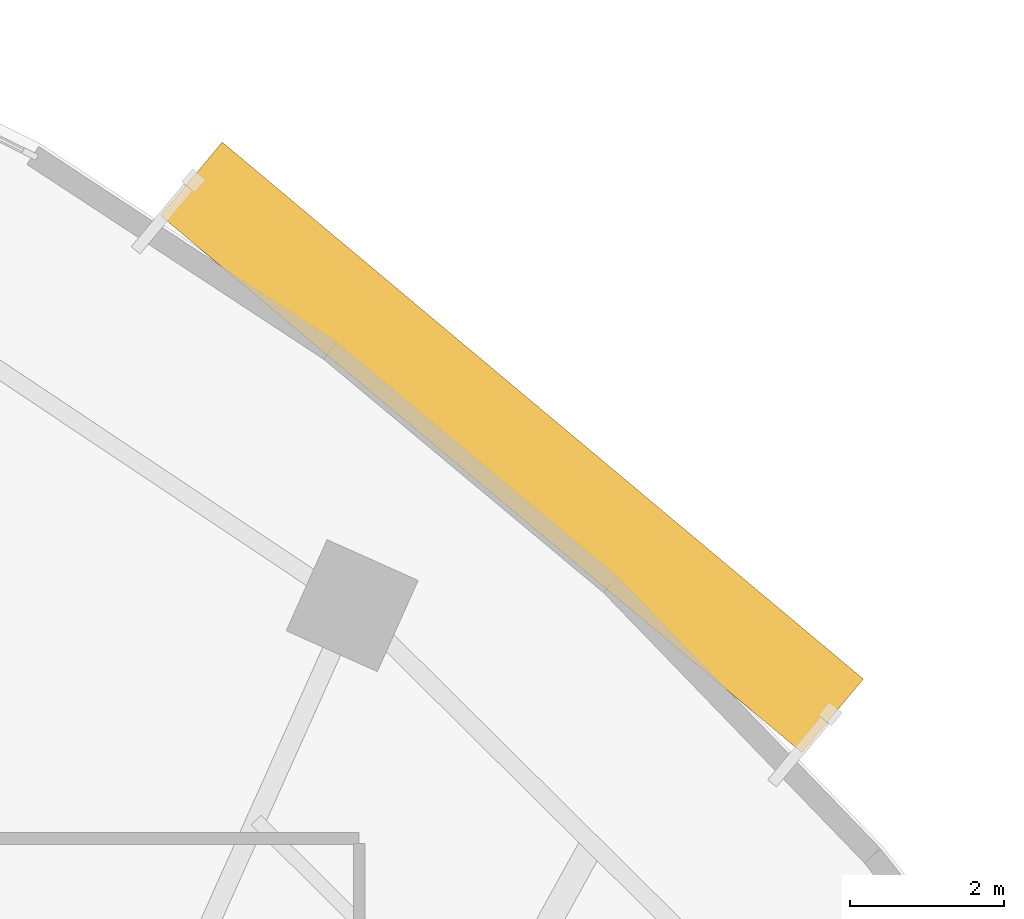
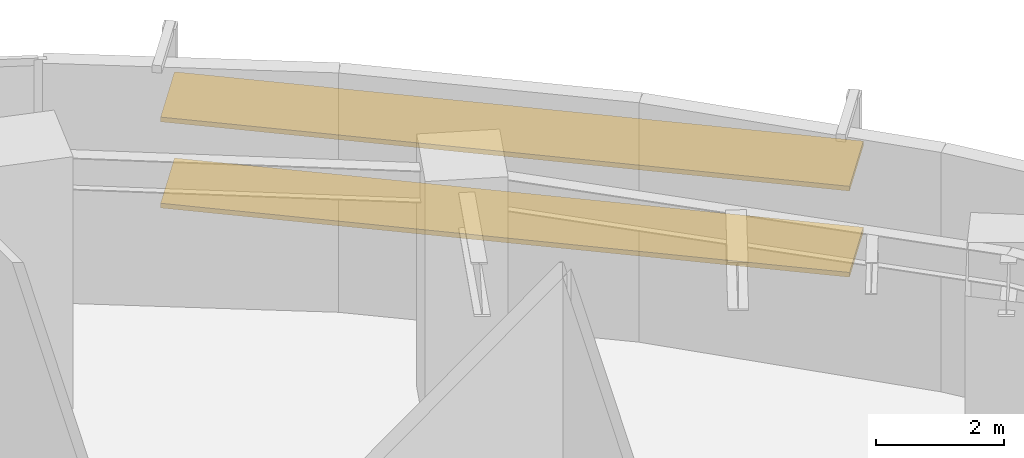
# One storey, part 14 of 15: 2 shading devices.
"""IFC4 building model written with IfcOpenShell, lengths in metres."""

from ifc_helpers import new_model, si_unit, direction, frame, origin, origin_2d, place, context, subcontext, project, spatial, rectangle, extrude, source, transform, mapped, material, material_profile, profile_set, type_object, element, save


model = new_model("IFC4")

# Units and contexts
model_context = context("Model", 3, precision=1e-05, world=origin(), true_north=direction((0.0, 1.0)))
body_context = subcontext(model_context, "Body", "Model", "MODEL_VIEW")
ifc_project = project(units=[si_unit("LENGTHUNIT", "METRE"), si_unit("AREAUNIT", "SQUARE_METRE"), si_unit("VOLUMEUNIT", "CUBIC_METRE"), si_unit("PLANEANGLEUNIT", "RADIAN"), si_unit("MASSUNIT", "GRAM", prefix="KILO")], contexts=[model_context])

# Site, building, storey
site_placement = place(None, origin())
site = spatial("IfcSite", under=ifc_project, at=site_placement, CompositionType="ELEMENT")
building_placement = place(site_placement, origin())
building = spatial("IfcBuilding", under=site, at=building_placement, Name="Breltana Convention Tower", CompositionType="ELEMENT")
storey_placement = place(building_placement, frame((0.0, 0.0, 91.199951171875)))
storey = spatial("IfcBuildingStorey", under=building, at=storey_placement, Name="L21", CompositionType="ELEMENT", Elevation=91.199951171875)

# Shading devices
ifc_material = material(Name="Limestone Warm Buff Honed", Category="masonry")
ifc_material_profile = material_profile(ifc_material, rectangle(XDim=1.25, YDim=0.090087890625, at=origin_2d()), Name="STN-LVR-1250X90")
ifc_profile_set = profile_set([ifc_material_profile], Name="Limestone Warm Buff Honed")
shading_device_type = type_object("IfcShadingDeviceType", Name="SHD-OUTER-SKIN-LIMESTONE-1250", PredefinedType="JALOUSIE", material=ifc_profile_set)
shared_shape = source(origin(), body_context, "Body", "SweptSolid", [
    extrude(rectangle(XDim=1.25, YDim=0.090087890625, at=origin_2d()), origin(), (0.0, 0.0, 1.0), 10.892333984375),
])
for number, where, z_axis, x_axis, name in (
    (1, (66.81591796875, 74.190673828125, 1.637939453125), (0.766718160057, -0.641983849515, 0.0), (0.641983849515, 0.766718160057, 0.0), "L21 outer skin warm limestone louvre 2.1"),
    (2, (66.81591796875, 74.190673828125, 3.276123046875), (0.766718160057, -0.641983849515, 0.0), (0.641983849515, 0.766718160057, 0.0), "L21 outer skin warm limestone louvre 2.2"),
):
    element("IfcShadingDevice", number, at=place(storey_placement, frame(where, z_axis=z_axis, x_axis=x_axis)), inside=storey, type_object=shading_device_type, Name=name, PredefinedType="JALOUSIE", context=body_context, shape_type="MappedRepresentation", body=[
        mapped(shared_shape, transform((0.0, 0.0, 0.0), scale=1.0)),
    ])

save(model, "model.ifc")
